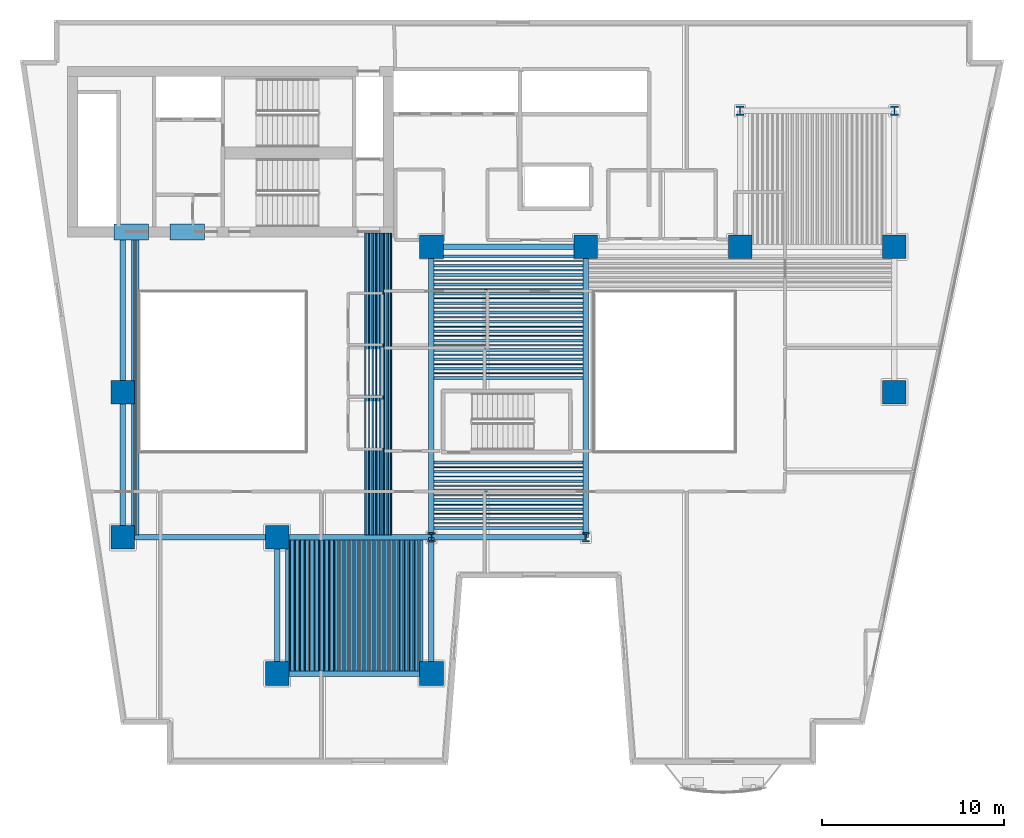
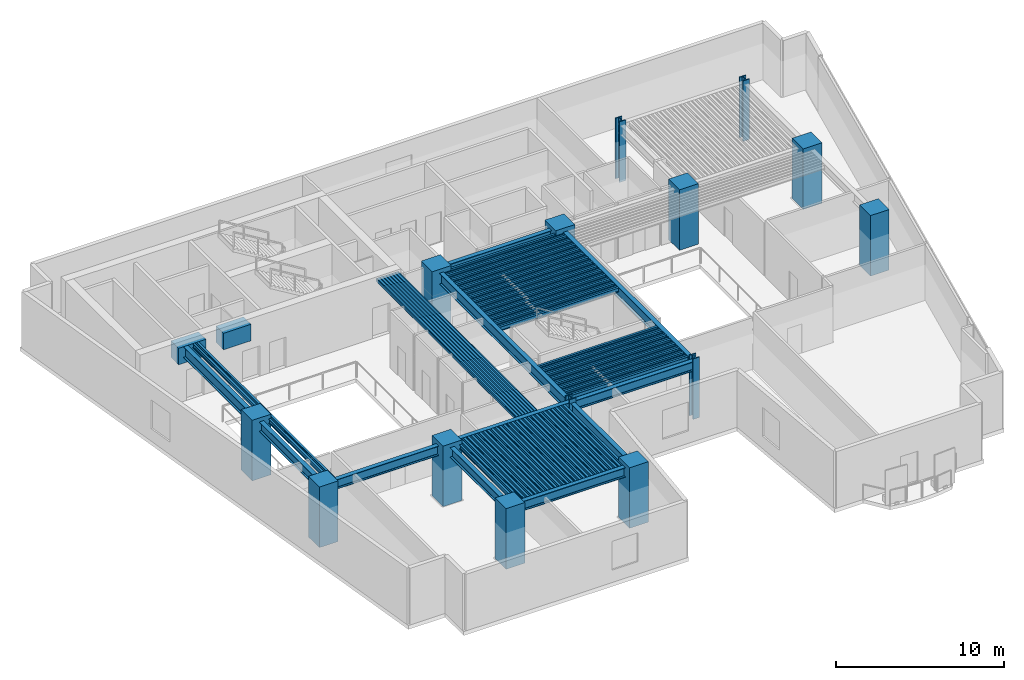
# One storey, part 1 of 12: 128 beams, 14 columns.
"""IFC4 building model written with IfcOpenShell, lengths in metres."""

from ifc_helpers import new_model, si_unit, direction, frame, origin, origin_2d, place, context, subcontext, project, spatial, rectangle, hollow_rectangle, i_section, extrude, material, material_profile, profile_set, type_object, element, save


model = new_model("IFC4")

# Units and contexts
model_context = context("Model", 3, precision=1e-05, world=origin(), true_north=direction((0.0, 1.0)))
body_context = subcontext(model_context, "Body", "Model", "MODEL_VIEW")
ifc_project = project(units=[si_unit("LENGTHUNIT", "METRE"), si_unit("AREAUNIT", "SQUARE_METRE"), si_unit("VOLUMEUNIT", "CUBIC_METRE"), si_unit("PLANEANGLEUNIT", "RADIAN"), si_unit("MASSUNIT", "GRAM", prefix="KILO")], contexts=[model_context])

# Site, building, storey
site_placement = place(None, origin())
site = spatial("IfcSite", under=ifc_project, at=site_placement, CompositionType="ELEMENT")
building_placement = place(site_placement, origin())
building = spatial("IfcBuilding", under=site, at=building_placement, Name="Caeloran Harvest Quay", CompositionType="ELEMENT")
storey_placement = place(building_placement, frame((0.0, 0.0, 84.199951171875)))
storey = spatial("IfcBuildingStorey", under=building, at=storey_placement, Name="L19", CompositionType="ELEMENT", Elevation=84.199951171875)

# Columns
ifc_material_1 = material(Name="Concrete C80/95", Category="concrete")
ifc_material_profile_1 = material_profile(ifc_material_1, rectangle(XDim=1.300048828125, YDim=1.300048828125, at=origin_2d()), Name="RC 1300x1300")
ifc_profile_set_1 = profile_set([ifc_material_profile_1], Name="Concrete C80/95")
column_type_1 = type_object("IfcColumnType", Name="COL-MC-2-RC_1300x1300", PredefinedType="COLUMN", material=ifc_profile_set_1)
for number, where, z_axis, x_axis, name in (
    (1, (8.5, 15.0, 0.0), (0.0, 0.0, 1.0), (1.0, 0.0, 0.0), "L19 Structural Column (8.5, 15.0)"),
    (2, (8.5, 23.0, 0.0), (0.0, 0.0, 1.0), (1.0, 0.0, 0.0), "L19 Structural Column (8.5, 23.0)"),
    (3, (17.0, 7.5, 0.0), (0.0, 0.0, 1.0), (1.0, 0.0, 0.0), "L19 Structural Column (17.0, 7.5)"),
    (4, (17.0, 15.0, 0.0), (0.0, 0.0, 1.0), (1.0, 0.0, 0.0), "L19 Structural Column (17.0, 15.0)"),
    (5, (25.5, 7.5, 0.0), (0.0, 0.0, 1.0), (1.0, 0.0, 0.0), "L19 Structural Column (25.5, 7.5)"),
    (6, (25.5, 31.0, 0.0), (0.0, 0.0, 1.0), (1.0, 0.0, 0.0), "L19 Structural Column (25.5, 31.0)"),
    (7, (34.0, 31.0, 0.0), (0.0, 0.0, 1.0), (1.0, 0.0, 0.0), "L19 Structural Column (34.0, 31.0)"),
    (8, (42.5, 31.0, 0.0), (0.0, 0.0, 1.0), (1.0, 0.0, 0.0), "L19 Structural Column (42.5, 31.0)"),
    (9, (51.0, 23.0, 0.0), (0.0, 0.0, 1.0), (1.0, 0.0, 0.0), "L19 Structural Column (51.0, 23.0)"),
    (10, (51.0, 31.0, 0.0), (0.0, 0.0, 1.0), (1.0, 0.0, 0.0), "L19 Structural Column (51.0, 31.0)"),
):
    element("IfcColumn", number, at=place(storey_placement, frame(where, z_axis=z_axis, x_axis=x_axis)), inside=storey, type_object=column_type_1, Name=name, PredefinedType="COLUMN", context=body_context, shape_type="SweptSolid", body=[
        extrude(rectangle(XDim=1.300048828125, YDim=1.300048828125, at=origin_2d()), origin(), (0.0, 0.0, 1.0), 4.400146484375),
    ])
ifc_material_2 = material(Name="Steel HISTAR 460", Category="steel")
ifc_material_profile_2 = material_profile(ifc_material_2, i_section(OverallWidth=0.43701171875, OverallDepth=0.513916015625, WebThickness=0.060546875, FlangeThickness=0.076904296875, FilletRadius=0.014892578125, at=origin_2d()), Name="HD 400x818")
ifc_profile_set_2 = profile_set([ifc_material_profile_2], Name="Steel HISTAR 460")
column_type_2 = type_object("IfcColumnType", Name="COL-SC-2-HD_400x818", PredefinedType="COLUMN", material=ifc_profile_set_2)
for number, where, z_axis, x_axis, name in (
    (11, (25.5, 15.0, 0.0), (0.0, 0.0, 1.0), (1.0, 0.0, 0.0), "L19 Structural Column (25.5, 15.0)"),
    (12, (34.0, 15.0, 0.0), (0.0, 0.0, 1.0), (1.0, 0.0, 0.0), "L19 Structural Column (34.0, 15.0)"),
    (13, (42.5, 38.5, 0.0), (0.0, 0.0, 1.0), (1.0, 0.0, 0.0), "L19 Structural Column (42.5, 38.5)"),
    (14, (51.0, 38.5, 0.0), (0.0, 0.0, 1.0), (1.0, 0.0, 0.0), "L19 Structural Column (51.0, 38.5)"),
):
    element("IfcColumn", number, at=place(storey_placement, frame(where, z_axis=z_axis, x_axis=x_axis)), inside=storey, type_object=column_type_2, Name=name, PredefinedType="COLUMN", context=body_context, shape_type="SweptSolid", body=[
        extrude(i_section(OverallWidth=0.43701171875, OverallDepth=0.513916015625, WebThickness=0.060546875, FlangeThickness=0.076904296875, FilletRadius=0.014892578125, at=origin_2d()), origin(), (0.0, 0.0, 1.0), 4.400146484375),
    ])

# Beams
ifc_material_profile_3 = material_profile(ifc_material_1, rectangle(XDim=0.89990234375, YDim=1.199951171875, at=origin_2d()), Name="RC 900x1200")
ifc_profile_set_3 = profile_set([ifc_material_profile_3], Name="Concrete C80/95")
beam_type_1 = type_object("IfcBeamType", Name="BM-CB-1-RC_900x1200", PredefinedType="LINTEL", material=ifc_profile_set_3)
for number, where, z_axis, x_axis, name in (
    (15, (8.0, 31.824951171875, 3.51513671875), (1.0, 0.0, 0.0), (0.0, 1.0, 0.0), "L19 Core Coupling Beam 1"),
    (16, (11.10009765625, 31.824951171875, 3.51513671875), (1.0, 0.0, 0.0), (0.0, 1.0, 0.0), "L19 Core Coupling Beam 2"),
):
    element("IfcBeam", number, at=place(storey_placement, frame(where, z_axis=z_axis, x_axis=x_axis)), inside=storey, type_object=beam_type_1, Name=name, PredefinedType="LINTEL", context=body_context, shape_type="SweptSolid", body=[
        extrude(rectangle(XDim=0.89990234375, YDim=1.199951171875, at=origin_2d()), origin(), (0.0, 0.0, 1.0), 1.89990234375),
    ])
ifc_material_3 = material(Name="Steel S355J2", Category="steel")
ifc_material_profile_4 = material_profile(ifc_material_3, i_section(OverallWidth=0.300048828125, OverallDepth=0.800048828125, WebThickness=0.017578125, FlangeThickness=0.032958984375, FilletRadius=0.030029296875, at=origin_2d()), Name="HE 800 B")
ifc_profile_set_4 = profile_set([ifc_material_profile_4], Name="Steel S355J2")
beam_type_2 = type_object("IfcBeamType", Name="BM-PG-1-HE_800_B", PredefinedType="BEAM", material=ifc_profile_set_4)
beam_1_placement = place(storey_placement, frame((8.5, 23.0, 3.715087890625), z_axis=(0.0, 1.0, 0.0), x_axis=(-1.0, 0.0, 0.0)))
element("IfcBeam", 17, at=beam_1_placement, inside=storey, type_object=beam_type_2, Name="L19 Core South Tie Girder X=8.5", PredefinedType="BEAM", context=body_context, shape_type="SweptSolid", body=[
    extrude(i_section(OverallWidth=0.300048828125, OverallDepth=0.800048828125, WebThickness=0.017578125, FlangeThickness=0.032958984375, FilletRadius=0.030029296875, at=origin_2d()), origin(), (0.0, 0.0, 1.0), 8.77490234375),
])
for number, where, z_axis, x_axis, name in (
    (18, (25.5, 15.0, 3.715087890625), (0.0, 1.0, 0.0), (-1.0, 0.0, 0.0), "L19 Primary North-South Girder X=25.5"),
    (19, (34.0, 15.0, 3.715087890625), (0.0, 1.0, 0.0), (-1.0, 0.0, 0.0), "L19 Primary North-South Girder X=34.0"),
):
    element("IfcBeam", number, at=place(storey_placement, frame(where, z_axis=z_axis, x_axis=x_axis)), inside=storey, type_object=beam_type_2, Name=name, PredefinedType="BEAM", context=body_context, shape_type="SweptSolid", body=[
        extrude(i_section(OverallWidth=0.300048828125, OverallDepth=0.800048828125, WebThickness=0.017578125, FlangeThickness=0.032958984375, FilletRadius=0.030029296875, at=origin_2d()), origin(), (0.0, 0.0, 1.0), 16.0),
    ])
ifc_material_profile_5 = material_profile(ifc_material_3, i_section(OverallWidth=0.300048828125, OverallDepth=0.699951171875, WebThickness=0.01708984375, FlangeThickness=0.031982421875, FilletRadius=0.027099609375, at=origin_2d()), Name="HE 700 B")
ifc_profile_set_5 = profile_set([ifc_material_profile_5], Name="Steel S355J2")
beam_type_3 = type_object("IfcBeamType", Name="BM-PG-2-HE_700_B", PredefinedType="BEAM", material=ifc_profile_set_5)
for number, where, z_axis, x_axis, name in (
    (20, (17.0, 7.5, 3.76513671875), (1.0, 0.0, 0.0), (0.0, 1.0, 0.0), "L19 Primary East-West Girder Y=7.5"),
    (21, (8.5, 15.0, 3.76513671875), (1.0, 0.0, 0.0), (0.0, 1.0, 0.0), "L19 Primary East-West Girder Y=15.0"),
    (22, (17.0, 15.0, 3.76513671875), (1.0, 0.0, 0.0), (0.0, 1.0, 0.0), "L19 Primary East-West Girder Y=15.0"),
    (23, (25.5, 15.0, 3.76513671875), (1.0, 0.0, 0.0), (0.0, 1.0, 0.0), "L19 Primary East-West Girder Y=15.0"),
    (24, (25.5, 31.0, 3.76513671875), (1.0, 0.0, 0.0), (0.0, 1.0, 0.0), "L19 Primary East-West Girder Y=31.0"),
):
    element("IfcBeam", number, at=place(storey_placement, frame(where, z_axis=z_axis, x_axis=x_axis)), inside=storey, type_object=beam_type_3, Name=name, PredefinedType="BEAM", context=body_context, shape_type="SweptSolid", body=[
        extrude(i_section(OverallWidth=0.300048828125, OverallDepth=0.699951171875, WebThickness=0.01708984375, FlangeThickness=0.031982421875, FilletRadius=0.027099609375, at=origin_2d()), origin(), (0.0, 0.0, 1.0), 8.5),
    ])
beam_2_placement = place(storey_placement, frame((8.5, 15.0, 3.76513671875), z_axis=(0.0, 1.0, 0.0), x_axis=(-1.0, 0.0, 0.0)))
element("IfcBeam", 25, at=beam_2_placement, inside=storey, type_object=beam_type_3, Name="L19 Primary North-South Girder X=8.5", PredefinedType="BEAM", context=body_context, shape_type="SweptSolid", body=[
    extrude(i_section(OverallWidth=0.300048828125, OverallDepth=0.699951171875, WebThickness=0.01708984375, FlangeThickness=0.031982421875, FilletRadius=0.027099609375, at=origin_2d()), origin(), (0.0, 0.0, 1.0), 8.0),
])
for number, where, z_axis, x_axis, name in (
    (26, (17.0, 7.5, 3.76513671875), (0.0, 1.0, 0.0), (-1.0, 0.0, 0.0), "L19 Primary North-South Girder X=17.0"),
    (27, (25.5, 7.5, 3.76513671875), (0.0, 1.0, 0.0), (-1.0, 0.0, 0.0), "L19 Primary North-South Girder X=25.5"),
):
    element("IfcBeam", number, at=place(storey_placement, frame(where, z_axis=z_axis, x_axis=x_axis)), inside=storey, type_object=beam_type_3, Name=name, PredefinedType="BEAM", context=body_context, shape_type="SweptSolid", body=[
        extrude(i_section(OverallWidth=0.300048828125, OverallDepth=0.699951171875, WebThickness=0.01708984375, FlangeThickness=0.031982421875, FilletRadius=0.027099609375, at=origin_2d()), origin(), (0.0, 0.0, 1.0), 7.5),
    ])
ifc_material_profile_6 = material_profile(ifc_material_3, i_section(OverallWidth=0.14990234375, OverallDepth=0.300048828125, WebThickness=0.007080078125, FlangeThickness=0.0107421875, FilletRadius=0.014892578125, at=origin_2d()), Name="IPE 300")
ifc_profile_set_6 = profile_set([ifc_material_profile_6], Name="Steel S355J2")
beam_type_4 = type_object("IfcBeamType", Name="BM-SB-6-IPE_300", PredefinedType="JOIST", material=ifc_profile_set_6)
for number, where, z_axis, x_axis, name in (
    (28, (17.54833984375, 7.64501953125, 3.965087890625), (0.0, 1.0, 0.0), (-1.0, 0.0, 0.0), "L19 Secondary Composite Joist"),
    (29, (17.822509765625, 7.64501953125, 3.965087890625), (0.0, 1.0, 0.0), (-1.0, 0.0, 0.0), "L19 Secondary Composite Joist"),
    (30, (18.0966796875, 7.64501953125, 3.965087890625), (0.0, 1.0, 0.0), (-1.0, 0.0, 0.0), "L19 Secondary Composite Joist"),
    (31, (18.37109375, 7.64501953125, 3.965087890625), (0.0, 1.0, 0.0), (-1.0, 0.0, 0.0), "L19 Secondary Composite Joist"),
    (32, (18.645263671875, 7.64501953125, 3.965087890625), (0.0, 1.0, 0.0), (-1.0, 0.0, 0.0), "L19 Secondary Composite Joist"),
    (33, (18.91943359375, 7.64501953125, 3.965087890625), (0.0, 1.0, 0.0), (-1.0, 0.0, 0.0), "L19 Secondary Composite Joist"),
    (34, (19.193603515625, 7.64501953125, 3.965087890625), (0.0, 1.0, 0.0), (-1.0, 0.0, 0.0), "L19 Secondary Composite Joist"),
    (35, (19.4677734375, 7.64501953125, 3.965087890625), (0.0, 1.0, 0.0), (-1.0, 0.0, 0.0), "L19 Secondary Composite Joist"),
    (36, (19.741943359375, 7.64501953125, 3.965087890625), (0.0, 1.0, 0.0), (-1.0, 0.0, 0.0), "L19 Secondary Composite Joist"),
    (37, (20.01611328125, 7.64501953125, 3.965087890625), (0.0, 1.0, 0.0), (-1.0, 0.0, 0.0), "L19 Secondary Composite Joist"),
    (38, (20.290283203125, 7.64501953125, 3.965087890625), (0.0, 1.0, 0.0), (-1.0, 0.0, 0.0), "L19 Secondary Composite Joist"),
    (39, (20.564453125, 7.64501953125, 3.965087890625), (0.0, 1.0, 0.0), (-1.0, 0.0, 0.0), "L19 Secondary Composite Joist"),
    (40, (20.838623046875, 7.64501953125, 3.965087890625), (0.0, 1.0, 0.0), (-1.0, 0.0, 0.0), "L19 Secondary Composite Joist"),
    (41, (21.11279296875, 7.64501953125, 3.965087890625), (0.0, 1.0, 0.0), (-1.0, 0.0, 0.0), "L19 Secondary Composite Joist"),
    (42, (21.38720703125, 7.64501953125, 3.965087890625), (0.0, 1.0, 0.0), (-1.0, 0.0, 0.0), "L19 Secondary Composite Joist"),
    (43, (21.661376953125, 7.64501953125, 3.965087890625), (0.0, 1.0, 0.0), (-1.0, 0.0, 0.0), "L19 Secondary Composite Joist"),
    (44, (21.935546875, 7.64501953125, 3.965087890625), (0.0, 1.0, 0.0), (-1.0, 0.0, 0.0), "L19 Secondary Composite Joist"),
    (45, (22.209716796875, 7.64501953125, 3.965087890625), (0.0, 1.0, 0.0), (-1.0, 0.0, 0.0), "L19 Secondary Composite Joist"),
    (46, (22.48388671875, 7.64501953125, 3.965087890625), (0.0, 1.0, 0.0), (-1.0, 0.0, 0.0), "L19 Secondary Composite Joist"),
    (47, (22.758056640625, 7.64501953125, 3.965087890625), (0.0, 1.0, 0.0), (-1.0, 0.0, 0.0), "L19 Secondary Composite Joist"),
    (48, (23.0322265625, 7.64501953125, 3.965087890625), (0.0, 1.0, 0.0), (-1.0, 0.0, 0.0), "L19 Secondary Composite Joist"),
    (49, (23.306396484375, 7.64501953125, 3.965087890625), (0.0, 1.0, 0.0), (-1.0, 0.0, 0.0), "L19 Secondary Composite Joist"),
    (50, (23.58056640625, 7.64501953125, 3.965087890625), (0.0, 1.0, 0.0), (-1.0, 0.0, 0.0), "L19 Secondary Composite Joist"),
    (51, (23.854736328125, 7.64501953125, 3.965087890625), (0.0, 1.0, 0.0), (-1.0, 0.0, 0.0), "L19 Secondary Composite Joist"),
    (52, (24.12890625, 7.64501953125, 3.965087890625), (0.0, 1.0, 0.0), (-1.0, 0.0, 0.0), "L19 Secondary Composite Joist"),
    (53, (24.4033203125, 7.64501953125, 3.965087890625), (0.0, 1.0, 0.0), (-1.0, 0.0, 0.0), "L19 Secondary Composite Joist"),
    (54, (24.677490234375, 7.64501953125, 3.965087890625), (0.0, 1.0, 0.0), (-1.0, 0.0, 0.0), "L19 Secondary Composite Joist"),
    (55, (24.95166015625, 7.64501953125, 3.965087890625), (0.0, 1.0, 0.0), (-1.0, 0.0, 0.0), "L19 Secondary Composite Joist"),
):
    element("IfcBeam", number, at=place(storey_placement, frame(where, z_axis=z_axis, x_axis=x_axis)), inside=storey, type_object=beam_type_4, Name=name, PredefinedType="JOIST", context=body_context, shape_type="SweptSolid", body=[
        extrude(i_section(OverallWidth=0.14990234375, OverallDepth=0.300048828125, WebThickness=0.007080078125, FlangeThickness=0.0107421875, FilletRadius=0.014892578125, at=origin_2d()), origin(), (0.0, 0.0, 1.0), 7.2099609375),
    ])
for number, where, z_axis, x_axis, name in (
    (56, (9.04833984375, 15.14501953125, 3.965087890625), (0.0, 1.0, 0.0), (-1.0, 0.0, 0.0), "L19 Secondary Composite Joist"),
    (57, (9.322509765625, 15.14501953125, 3.965087890625), (0.0, 1.0, 0.0), (-1.0, 0.0, 0.0), "L19 Secondary Composite Joist"),
    (58, (21.954833984375, 15.14501953125, 3.965087890625), (0.0, 1.0, 0.0), (-1.0, 0.0, 0.0), "L19 Secondary Composite Joist"),
    (59, (22.161376953125, 15.14501953125, 3.965087890625), (0.0, 1.0, 0.0), (-1.0, 0.0, 0.0), "L19 Secondary Composite Joist"),
    (60, (22.36767578125, 15.14501953125, 3.965087890625), (0.0, 1.0, 0.0), (-1.0, 0.0, 0.0), "L19 Secondary Composite Joist"),
    (61, (22.57421875, 15.14501953125, 3.965087890625), (0.0, 1.0, 0.0), (-1.0, 0.0, 0.0), "L19 Secondary Composite Joist"),
    (62, (22.780517578125, 15.14501953125, 3.965087890625), (0.0, 1.0, 0.0), (-1.0, 0.0, 0.0), "L19 Secondary Composite Joist"),
    (63, (22.987060546875, 15.14501953125, 3.965087890625), (0.0, 1.0, 0.0), (-1.0, 0.0, 0.0), "L19 Secondary Composite Joist"),
    (64, (23.193603515625, 15.14501953125, 3.965087890625), (0.0, 1.0, 0.0), (-1.0, 0.0, 0.0), "L19 Secondary Composite Joist"),
):
    element("IfcBeam", number, at=place(storey_placement, frame(where, z_axis=z_axis, x_axis=x_axis)), inside=storey, type_object=beam_type_4, Name=name, PredefinedType="JOIST", context=body_context, shape_type="SweptSolid", body=[
        extrude(i_section(OverallWidth=0.14990234375, OverallDepth=0.300048828125, WebThickness=0.007080078125, FlangeThickness=0.0107421875, FilletRadius=0.014892578125, at=origin_2d()), origin(), (0.0, 0.0, 1.0), 16.6298828125),
    ])
for number, where, z_axis, x_axis, name in (
    (65, (25.64501953125, 15.51611328125, 3.965087890625), (1.0, 0.0, 0.0), (0.0, 1.0, 0.0), "L19 Secondary East-West Composite Joist"),
    (66, (25.64501953125, 16.0322265625, 3.965087890625), (1.0, 0.0, 0.0), (0.0, 1.0, 0.0), "L19 Secondary East-West Composite Joist"),
    (67, (25.64501953125, 16.54833984375, 3.965087890625), (1.0, 0.0, 0.0), (0.0, 1.0, 0.0), "L19 Secondary East-West Composite Joist"),
    (68, (25.64501953125, 17.064453125, 3.965087890625), (1.0, 0.0, 0.0), (0.0, 1.0, 0.0), "L19 Secondary East-West Composite Joist"),
    (69, (25.64501953125, 17.58056640625, 3.965087890625), (1.0, 0.0, 0.0), (0.0, 1.0, 0.0), "L19 Secondary East-West Composite Joist"),
    (70, (25.64501953125, 18.0966796875, 3.965087890625), (1.0, 0.0, 0.0), (0.0, 1.0, 0.0), "L19 Secondary East-West Composite Joist"),
    (71, (25.64501953125, 18.61279296875, 3.965087890625), (1.0, 0.0, 0.0), (0.0, 1.0, 0.0), "L19 Secondary East-West Composite Joist"),
    (72, (25.64501953125, 19.12890625, 3.965087890625), (1.0, 0.0, 0.0), (0.0, 1.0, 0.0), "L19 Secondary East-West Composite Joist"),
    (73, (25.64501953125, 23.774169921875, 3.965087890625), (1.0, 0.0, 0.0), (0.0, 1.0, 0.0), "L19 Secondary East-West Composite Joist"),
    (74, (25.64501953125, 24.290283203125, 3.965087890625), (1.0, 0.0, 0.0), (0.0, 1.0, 0.0), "L19 Secondary East-West Composite Joist"),
    (75, (25.64501953125, 24.806396484375, 3.965087890625), (1.0, 0.0, 0.0), (0.0, 1.0, 0.0), "L19 Secondary East-West Composite Joist"),
    (76, (25.64501953125, 25.322509765625, 3.965087890625), (1.0, 0.0, 0.0), (0.0, 1.0, 0.0), "L19 Secondary East-West Composite Joist"),
    (77, (25.64501953125, 25.838623046875, 3.965087890625), (1.0, 0.0, 0.0), (0.0, 1.0, 0.0), "L19 Secondary East-West Composite Joist"),
    (78, (25.64501953125, 26.354736328125, 3.965087890625), (1.0, 0.0, 0.0), (0.0, 1.0, 0.0), "L19 Secondary East-West Composite Joist"),
    (79, (25.64501953125, 26.87109375, 3.965087890625), (1.0, 0.0, 0.0), (0.0, 1.0, 0.0), "L19 Secondary East-West Composite Joist"),
    (80, (25.64501953125, 27.38720703125, 3.965087890625), (1.0, 0.0, 0.0), (0.0, 1.0, 0.0), "L19 Secondary East-West Composite Joist"),
    (81, (25.64501953125, 27.9033203125, 3.965087890625), (1.0, 0.0, 0.0), (0.0, 1.0, 0.0), "L19 Secondary East-West Composite Joist"),
    (82, (25.64501953125, 28.41943359375, 3.965087890625), (1.0, 0.0, 0.0), (0.0, 1.0, 0.0), "L19 Secondary East-West Composite Joist"),
    (83, (25.64501953125, 28.935546875, 3.965087890625), (1.0, 0.0, 0.0), (0.0, 1.0, 0.0), "L19 Secondary East-West Composite Joist"),
    (84, (25.64501953125, 29.45166015625, 3.965087890625), (1.0, 0.0, 0.0), (0.0, 1.0, 0.0), "L19 Secondary East-West Composite Joist"),
    (85, (25.64501953125, 29.9677734375, 3.965087890625), (1.0, 0.0, 0.0), (0.0, 1.0, 0.0), "L19 Secondary East-West Composite Joist"),
    (86, (25.64501953125, 30.48388671875, 3.965087890625), (1.0, 0.0, 0.0), (0.0, 1.0, 0.0), "L19 Secondary East-West Composite Joist"),
):
    element("IfcBeam", number, at=place(storey_placement, frame(where, z_axis=z_axis, x_axis=x_axis)), inside=storey, type_object=beam_type_4, Name=name, PredefinedType="JOIST", context=body_context, shape_type="SweptSolid", body=[
        extrude(i_section(OverallWidth=0.14990234375, OverallDepth=0.300048828125, WebThickness=0.007080078125, FlangeThickness=0.0107421875, FilletRadius=0.014892578125, at=origin_2d()), origin(), (0.0, 0.0, 1.0), 8.2099609375),
    ])
ifc_material_profile_7 = material_profile(ifc_material_3, hollow_rectangle(XDim=0.080078125, YDim=0.199951171875, WallThickness=0.006103515625, InnerFilletRadius=0.006103515625, OuterFilletRadius=0.009033203125, at=origin_2d()), Name="RHS 200x80x6")
ifc_profile_set_7 = profile_set([ifc_material_profile_7], Name="Steel S355J2")
beam_type_5 = type_object("IfcBeamType", Name="BM-SB-7-RHS_200x80x6", PredefinedType="JOIST", material=ifc_profile_set_7)
for number, where, z_axis, x_axis, name in (
    (87, (17.685546875, 7.64501953125, 4.01513671875), (0.0, 1.0, 0.0), (-1.0, 0.0, 0.0), "L19 Secondary Composite Joist"),
    (88, (17.959716796875, 7.64501953125, 4.01513671875), (0.0, 1.0, 0.0), (-1.0, 0.0, 0.0), "L19 Secondary Composite Joist"),
    (89, (18.23388671875, 7.64501953125, 4.01513671875), (0.0, 1.0, 0.0), (-1.0, 0.0, 0.0), "L19 Secondary Composite Joist"),
    (90, (18.508056640625, 7.64501953125, 4.01513671875), (0.0, 1.0, 0.0), (-1.0, 0.0, 0.0), "L19 Secondary Composite Joist"),
    (91, (18.7822265625, 7.64501953125, 4.01513671875), (0.0, 1.0, 0.0), (-1.0, 0.0, 0.0), "L19 Secondary Composite Joist"),
    (92, (19.056396484375, 7.64501953125, 4.01513671875), (0.0, 1.0, 0.0), (-1.0, 0.0, 0.0), "L19 Secondary Composite Joist"),
    (93, (19.33056640625, 7.64501953125, 4.01513671875), (0.0, 1.0, 0.0), (-1.0, 0.0, 0.0), "L19 Secondary Composite Joist"),
    (94, (19.604736328125, 7.64501953125, 4.01513671875), (0.0, 1.0, 0.0), (-1.0, 0.0, 0.0), "L19 Secondary Composite Joist"),
    (95, (19.87890625, 7.64501953125, 4.01513671875), (0.0, 1.0, 0.0), (-1.0, 0.0, 0.0), "L19 Secondary Composite Joist"),
    (96, (20.1533203125, 7.64501953125, 4.01513671875), (0.0, 1.0, 0.0), (-1.0, 0.0, 0.0), "L19 Secondary Composite Joist"),
    (97, (20.427490234375, 7.64501953125, 4.01513671875), (0.0, 1.0, 0.0), (-1.0, 0.0, 0.0), "L19 Secondary Composite Joist"),
    (98, (20.70166015625, 7.64501953125, 4.01513671875), (0.0, 1.0, 0.0), (-1.0, 0.0, 0.0), "L19 Secondary Composite Joist"),
    (99, (20.975830078125, 7.64501953125, 4.01513671875), (0.0, 1.0, 0.0), (-1.0, 0.0, 0.0), "L19 Secondary Composite Joist"),
    (100, (21.25, 7.64501953125, 4.01513671875), (0.0, 1.0, 0.0), (-1.0, 0.0, 0.0), "L19 Secondary Composite Joist"),
    (101, (21.524169921875, 7.64501953125, 4.01513671875), (0.0, 1.0, 0.0), (-1.0, 0.0, 0.0), "L19 Secondary Composite Joist"),
    (102, (21.79833984375, 7.64501953125, 4.01513671875), (0.0, 1.0, 0.0), (-1.0, 0.0, 0.0), "L19 Secondary Composite Joist"),
    (103, (22.072509765625, 7.64501953125, 4.01513671875), (0.0, 1.0, 0.0), (-1.0, 0.0, 0.0), "L19 Secondary Composite Joist"),
    (104, (22.3466796875, 7.64501953125, 4.01513671875), (0.0, 1.0, 0.0), (-1.0, 0.0, 0.0), "L19 Secondary Composite Joist"),
    (105, (22.62109375, 7.64501953125, 4.01513671875), (0.0, 1.0, 0.0), (-1.0, 0.0, 0.0), "L19 Secondary Composite Joist"),
    (106, (22.895263671875, 7.64501953125, 4.01513671875), (0.0, 1.0, 0.0), (-1.0, 0.0, 0.0), "L19 Secondary Composite Joist"),
    (107, (23.16943359375, 7.64501953125, 4.01513671875), (0.0, 1.0, 0.0), (-1.0, 0.0, 0.0), "L19 Secondary Composite Joist"),
    (108, (23.443603515625, 7.64501953125, 4.01513671875), (0.0, 1.0, 0.0), (-1.0, 0.0, 0.0), "L19 Secondary Composite Joist"),
    (109, (23.7177734375, 7.64501953125, 4.01513671875), (0.0, 1.0, 0.0), (-1.0, 0.0, 0.0), "L19 Secondary Composite Joist"),
    (110, (23.991943359375, 7.64501953125, 4.01513671875), (0.0, 1.0, 0.0), (-1.0, 0.0, 0.0), "L19 Secondary Composite Joist"),
    (111, (24.26611328125, 7.64501953125, 4.01513671875), (0.0, 1.0, 0.0), (-1.0, 0.0, 0.0), "L19 Secondary Composite Joist"),
    (112, (24.540283203125, 7.64501953125, 4.01513671875), (0.0, 1.0, 0.0), (-1.0, 0.0, 0.0), "L19 Secondary Composite Joist"),
    (113, (24.814453125, 7.64501953125, 4.01513671875), (0.0, 1.0, 0.0), (-1.0, 0.0, 0.0), "L19 Secondary Composite Joist"),
):
    element("IfcBeam", number, at=place(storey_placement, frame(where, z_axis=z_axis, x_axis=x_axis)), inside=storey, type_object=beam_type_5, Name=name, PredefinedType="JOIST", context=body_context, shape_type="SweptSolid", body=[
        extrude(hollow_rectangle(XDim=0.080078125, YDim=0.199951171875, WallThickness=0.006103515625, InnerFilletRadius=0.006103515625, OuterFilletRadius=0.009033203125, at=origin_2d()), origin(), (0.0, 0.0, 1.0), 7.2099609375),
    ])
for number, where, z_axis, x_axis, name in (
    (114, (9.185546875, 15.14501953125, 4.01513671875), (0.0, 1.0, 0.0), (-1.0, 0.0, 0.0), "L19 Secondary Composite Joist"),
    (115, (21.8515625, 15.14501953125, 4.01513671875), (0.0, 1.0, 0.0), (-1.0, 0.0, 0.0), "L19 Secondary Composite Joist"),
    (116, (22.05810546875, 15.14501953125, 4.01513671875), (0.0, 1.0, 0.0), (-1.0, 0.0, 0.0), "L19 Secondary Composite Joist"),
    (117, (22.264404296875, 15.14501953125, 4.01513671875), (0.0, 1.0, 0.0), (-1.0, 0.0, 0.0), "L19 Secondary Composite Joist"),
    (118, (22.470947265625, 15.14501953125, 4.01513671875), (0.0, 1.0, 0.0), (-1.0, 0.0, 0.0), "L19 Secondary Composite Joist"),
    (119, (22.677490234375, 15.14501953125, 4.01513671875), (0.0, 1.0, 0.0), (-1.0, 0.0, 0.0), "L19 Secondary Composite Joist"),
    (120, (22.8837890625, 15.14501953125, 4.01513671875), (0.0, 1.0, 0.0), (-1.0, 0.0, 0.0), "L19 Secondary Composite Joist"),
    (121, (23.09033203125, 15.14501953125, 4.01513671875), (0.0, 1.0, 0.0), (-1.0, 0.0, 0.0), "L19 Secondary Composite Joist"),
    (122, (23.296875, 15.14501953125, 4.01513671875), (0.0, 1.0, 0.0), (-1.0, 0.0, 0.0), "L19 Secondary Composite Joist"),
):
    element("IfcBeam", number, at=place(storey_placement, frame(where, z_axis=z_axis, x_axis=x_axis)), inside=storey, type_object=beam_type_5, Name=name, PredefinedType="JOIST", context=body_context, shape_type="SweptSolid", body=[
        extrude(hollow_rectangle(XDim=0.080078125, YDim=0.199951171875, WallThickness=0.006103515625, InnerFilletRadius=0.006103515625, OuterFilletRadius=0.009033203125, at=origin_2d()), origin(), (0.0, 0.0, 1.0), 16.6298828125),
    ])
for number, where, z_axis, x_axis, name in (
    (123, (25.64501953125, 15.774169921875, 4.01513671875), (1.0, 0.0, 0.0), (0.0, 1.0, 0.0), "L19 Secondary East-West Composite Joist"),
    (124, (25.64501953125, 16.290283203125, 4.01513671875), (1.0, 0.0, 0.0), (0.0, 1.0, 0.0), "L19 Secondary East-West Composite Joist"),
    (125, (25.64501953125, 16.806396484375, 4.01513671875), (1.0, 0.0, 0.0), (0.0, 1.0, 0.0), "L19 Secondary East-West Composite Joist"),
    (126, (25.64501953125, 17.322509765625, 4.01513671875), (1.0, 0.0, 0.0), (0.0, 1.0, 0.0), "L19 Secondary East-West Composite Joist"),
    (127, (25.64501953125, 17.838623046875, 4.01513671875), (1.0, 0.0, 0.0), (0.0, 1.0, 0.0), "L19 Secondary East-West Composite Joist"),
    (128, (25.64501953125, 18.354736328125, 4.01513671875), (1.0, 0.0, 0.0), (0.0, 1.0, 0.0), "L19 Secondary East-West Composite Joist"),
    (129, (25.64501953125, 18.87109375, 4.01513671875), (1.0, 0.0, 0.0), (0.0, 1.0, 0.0), "L19 Secondary East-West Composite Joist"),
    (130, (25.64501953125, 24.0322265625, 4.01513671875), (1.0, 0.0, 0.0), (0.0, 1.0, 0.0), "L19 Secondary East-West Composite Joist"),
    (131, (25.64501953125, 24.54833984375, 4.01513671875), (1.0, 0.0, 0.0), (0.0, 1.0, 0.0), "L19 Secondary East-West Composite Joist"),
    (132, (25.64501953125, 25.064453125, 4.01513671875), (1.0, 0.0, 0.0), (0.0, 1.0, 0.0), "L19 Secondary East-West Composite Joist"),
    (133, (25.64501953125, 25.58056640625, 4.01513671875), (1.0, 0.0, 0.0), (0.0, 1.0, 0.0), "L19 Secondary East-West Composite Joist"),
    (134, (25.64501953125, 26.0966796875, 4.01513671875), (1.0, 0.0, 0.0), (0.0, 1.0, 0.0), "L19 Secondary East-West Composite Joist"),
    (135, (25.64501953125, 26.61279296875, 4.01513671875), (1.0, 0.0, 0.0), (0.0, 1.0, 0.0), "L19 Secondary East-West Composite Joist"),
    (136, (25.64501953125, 27.12890625, 4.01513671875), (1.0, 0.0, 0.0), (0.0, 1.0, 0.0), "L19 Secondary East-West Composite Joist"),
    (137, (25.64501953125, 27.645263671875, 4.01513671875), (1.0, 0.0, 0.0), (0.0, 1.0, 0.0), "L19 Secondary East-West Composite Joist"),
    (138, (25.64501953125, 28.161376953125, 4.01513671875), (1.0, 0.0, 0.0), (0.0, 1.0, 0.0), "L19 Secondary East-West Composite Joist"),
    (139, (25.64501953125, 28.677490234375, 4.01513671875), (1.0, 0.0, 0.0), (0.0, 1.0, 0.0), "L19 Secondary East-West Composite Joist"),
    (140, (25.64501953125, 29.193603515625, 4.01513671875), (1.0, 0.0, 0.0), (0.0, 1.0, 0.0), "L19 Secondary East-West Composite Joist"),
    (141, (25.64501953125, 29.709716796875, 4.01513671875), (1.0, 0.0, 0.0), (0.0, 1.0, 0.0), "L19 Secondary East-West Composite Joist"),
    (142, (25.64501953125, 30.225830078125, 4.01513671875), (1.0, 0.0, 0.0), (0.0, 1.0, 0.0), "L19 Secondary East-West Composite Joist"),
):
    element("IfcBeam", number, at=place(storey_placement, frame(where, z_axis=z_axis, x_axis=x_axis)), inside=storey, type_object=beam_type_5, Name=name, PredefinedType="JOIST", context=body_context, shape_type="SweptSolid", body=[
        extrude(hollow_rectangle(XDim=0.080078125, YDim=0.199951171875, WallThickness=0.006103515625, InnerFilletRadius=0.006103515625, OuterFilletRadius=0.009033203125, at=origin_2d()), origin(), (0.0, 0.0, 1.0), 8.2099609375),
    ])

save(model, "model.ifc")
